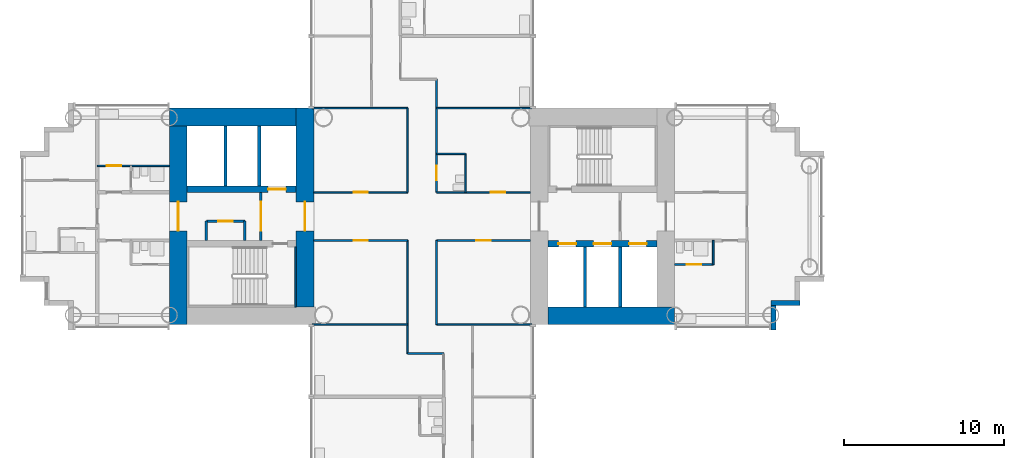
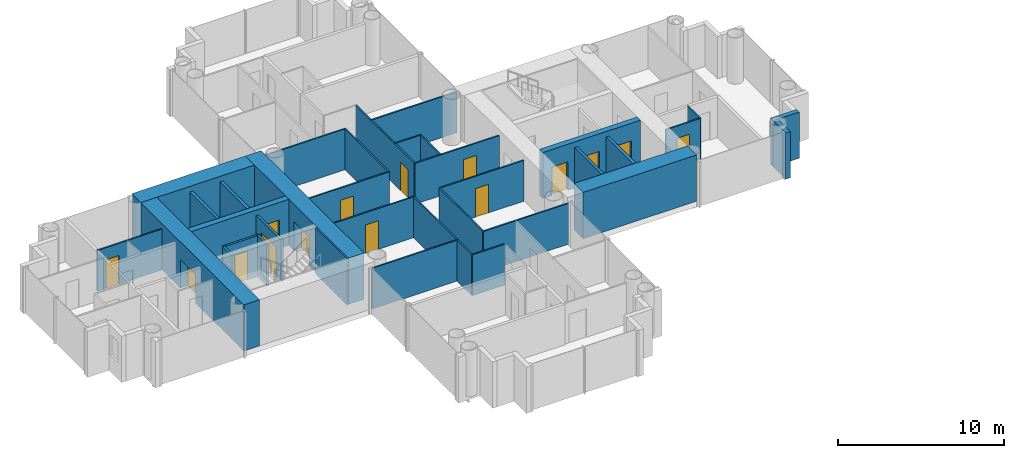
# One storey, part 10 of 21: 35 walls, 15 doors, 15 openings.
"""IFC4 building model written with IfcOpenShell, lengths in metres."""

from ifc_helpers import new_model, si_unit, direction, frame, frame_2d, origin, place, context, subcontext, project, spatial, rectangle, extrude, material, layer, layer_set, type_object, element, fill, save


model = new_model("IFC4")

# Units and contexts
model_context = context("Model", 3, precision=1e-05, world=origin(), true_north=direction((0.0, 1.0)))
body_context = subcontext(model_context, "Body", "Model", "MODEL_VIEW")
ifc_project = project(units=[si_unit("LENGTHUNIT", "METRE"), si_unit("AREAUNIT", "SQUARE_METRE"), si_unit("VOLUMEUNIT", "CUBIC_METRE"), si_unit("PLANEANGLEUNIT", "RADIAN"), si_unit("MASSUNIT", "GRAM", prefix="KILO")], contexts=[model_context])

# Site, building, storey
site_placement = place(None, origin())
site = spatial("IfcSite", under=ifc_project, at=site_placement, CompositionType="ELEMENT")
building_placement = place(site_placement, origin())
building = spatial("IfcBuilding", under=site, at=building_placement, Name="Ipe Terrace Towers", CompositionType="ELEMENT")
storey_placement = place(building_placement, frame((0.0, 0.0, 34.699951171875)))
storey = spatial("IfcBuildingStorey", under=building, at=storey_placement, Name="L08", CompositionType="ELEMENT", Elevation=34.699951171875)

# Walls
ifc_material_1 = material(Name="Concrete C40/50 with buff precast cladding", Category="concrete")
ifc_layer_1 = layer(ifc_material_1, 0.320068359375)
ifc_layer_set_1 = layer_set([ifc_layer_1], Name="BUFF CLADDING WALL 320")
wall_type_1 = type_object("IfcWallType", Name="BUFF CLADDING WALL 320", PredefinedType="STANDARD", material=ifc_layer_set_1)
wall_1_placement = place(storey_placement, frame((-14.090087890625, -7.070068359375, -0.300048828125), z_axis=(0.0, 0.0, 1.0), x_axis=(0.0, 1.0, 0.0)))
element("IfcWall", 1, at=wall_1_placement, inside=storey, type_object=wall_type_1, Name="T1-W-L08-21a wall", PredefinedType="STANDARD", context=body_context, shape_type="SweptSolid", body=[
    extrude(rectangle(XDim=1.5, YDim=0.320068359375, at=frame_2d((0.75, 0.0))), origin(), (0.0, 0.0, 1.0), 3.400146484375),
])
wall_2_placement = place(storey_placement, frame((-14.25, -5.409912109375, -0.300048828125), z_axis=(0.0, 0.0, 1.0), x_axis=(1.0, 0.0, 0.0)))
element("IfcWall", 2, at=wall_2_placement, inside=storey, type_object=wall_type_1, Name="T1-W-L08-22a wall", PredefinedType="STANDARD", context=body_context, shape_type="SweptSolid", body=[
    extrude(rectangle(XDim=1.820068359375, YDim=0.320068359375, at=frame_2d((0.91015625, 0.0))), origin(), (0.0, 0.0, 1.0), 3.400146484375),
])
ifc_material_2 = material(Name="Gypsum board partition", Category="plasterboard")
ifc_layer_2 = layer(ifc_material_2, 0.10009765625)
ifc_layer_set_2 = layer_set([ifc_layer_2], Name="Gypsum board partition 100 mm")
wall_type_2 = type_object("IfcWallType", Name="Gypsum board partition 100 mm", PredefinedType="PARTITIONING", material=ifc_layer_set_2)
wall_3_placement = place(storey_placement, frame((-36.89990234375, -8.550048828125, 0.0), z_axis=(0.0, 0.0, 1.0), x_axis=(0.0, 1.0, 0.0)))
element("IfcWall", 3, at=wall_3_placement, inside=storey, type_object=wall_type_2, Name="Gypsum board partition T1 L08 W08", PredefinedType="PARTITIONING", context=body_context, shape_type="SweptSolid", body=[
    extrude(rectangle(XDim=7.050048828125, YDim=0.10009765625, at=frame_2d((3.52490234375, 0.0))), origin(), (0.0, 0.0, 1.0), 3.0),
])
for number, where, z_axis, x_axis, name in (
    (4, (-36.89990234375, 1.5, 0.0), (0.0, 0.0, 1.0), (0.0, 1.0, 0.0), "Gypsum board partition T1 L08 W09"),
    (5, (-35.10009765625, -6.75, 0.0), (0.0, 0.0, 1.0), (0.0, 1.0, 0.0), "Gypsum board partition T1 L08 W12"),
):
    element("IfcWall", number, at=place(storey_placement, frame(where, z_axis=z_axis, x_axis=x_axis)), inside=storey, type_object=wall_type_2, Name=name, PredefinedType="PARTITIONING", context=body_context, shape_type="SweptSolid", body=[
        extrude(rectangle(XDim=5.25, YDim=0.10009765625, at=frame_2d((2.625, 0.0))), origin(), (0.0, 0.0, 1.0), 3.0),
    ])

# Wall, opening, door
wall_4_placement = place(storey_placement, frame((-35.10009765625, 1.5, 0.0), z_axis=(0.0, 0.0, 1.0), x_axis=(0.0, 1.0, 0.0)))
wall_4 = element("IfcWall", 6, at=wall_4_placement, inside=storey, type_object=wall_type_2, Name="Gypsum board partition T1 L08 W13", PredefinedType="PARTITIONING", context=body_context, shape_type="SweptSolid", body=[
    extrude(rectangle(XDim=7.050048828125, YDim=0.10009765625, at=frame_2d((3.52490234375, 0.0))), origin(), (0.0, 0.0, 1.0), 3.0),
])
opening_1_placement = place(wall_4_placement, frame((0.75, 0.0, 0.0)))
opening_1 = element("IfcOpeningElement", 7, at=opening_1_placement, cuts=wall_4, Name="Opening T1-Z1B-01", PredefinedType="OPENING", context=body_context, shape_type="SweptSolid", body=[
    extrude(rectangle(XDim=0.89990234375, YDim=2.10009765625, at=frame_2d((0.449951171875, 1.050048828125))), frame((0.0, 0.06005859375, 0.0), z_axis=(0.0, -1.0, 0.0), x_axis=(1.0, 0.0, 0.0)), (0.0, 0.0, 1.0), 0.1201171875),
])
ifc_material_3 = material(Name="Timber door leaf", Category="wood")
door_type_1 = type_object("IfcDoorType", Name="Bathroom door 900 x 2100", OperationType="NOTDEFINED", PredefinedType="DOOR", material=ifc_material_3)
door_1_placement = place(opening_1_placement, origin())
door_1 = element("IfcDoor", 8, at=door_1_placement, inside=storey, type_object=door_type_1, Name="Bathroom door T1-Z1B-01", OperationType="SINGLE_SWING_LEFT", OverallHeight=2.10009765625, OverallWidth=0.89990234375, PredefinedType="DOOR", context=body_context, shape_type="SweptSolid", body=[
    extrude(rectangle(XDim=0.89990234375, YDim=2.10009765625, at=frame_2d((0.449951171875, 1.050048828125))), frame((0.0, 0.02490234375, 0.0), z_axis=(0.0, -1.0, 0.0), x_axis=(1.0, 0.0, 0.0)), (0.0, 0.0, 1.0), 0.050048828125),
])
fill(opening_1, door_1)

# Walls
wall_5_placement = place(storey_placement, frame((-33.300048828125, 1.5, 0.0), z_axis=(0.0, 0.0, 1.0), x_axis=(0.0, 1.0, 0.0)))
element("IfcWall", 9, at=wall_5_placement, inside=storey, type_object=wall_type_2, Name="Gypsum board partition T1 L08 W16", PredefinedType="PARTITIONING", context=body_context, shape_type="SweptSolid", body=[
    extrude(rectangle(XDim=2.39990234375, YDim=0.10009765625, at=frame_2d((1.199951171875, 0.0))), origin(), (0.0, 0.0, 1.0), 3.0),
])
wall_6_placement = place(storey_placement, frame((-17.85009765625, -3.0, 0.0), z_axis=(0.0, 0.0, 1.0), x_axis=(0.0, 1.0, 0.0)))
element("IfcWall", 10, at=wall_6_placement, inside=storey, type_object=wall_type_2, Name="Gypsum board partition T1 L08 W18", PredefinedType="PARTITIONING", context=body_context, shape_type="SweptSolid", body=[
    extrude(rectangle(XDim=1.5, YDim=0.10009765625, at=frame_2d((0.75, 0.0))), origin(), (0.0, 0.0, 1.0), 3.0),
])
wall_7_placement = place(storey_placement, frame((-36.89990234375, -8.550048828125, 0.0), z_axis=(0.0, 0.0, 1.0), x_axis=(1.0, 0.0, 0.0)))
element("IfcWall", 11, at=wall_7_placement, inside=storey, type_object=wall_type_2, Name="Gypsum board partition T1 L08 W26", PredefinedType="PARTITIONING", context=body_context, shape_type="SweptSolid", body=[
    extrude(rectangle(XDim=2.25, YDim=0.10009765625, at=frame_2d((1.125, 0.0))), origin(), (0.0, 0.0, 1.0), 3.0),
])
for number, where, z_axis, x_axis, name in (
    (12, (-42.85009765625, -6.75, 0.0), (0.0, 0.0, 1.0), (1.0, 0.0, 0.0), "Gypsum board partition T1 L08 W27"),
    (13, (-35.10009765625, -6.75, 0.0), (0.0, 0.0, 1.0), (1.0, 0.0, 0.0), "Gypsum board partition T1 L08 W28"),
):
    element("IfcWall", number, at=place(storey_placement, frame(where, z_axis=z_axis, x_axis=x_axis)), inside=storey, type_object=wall_type_2, Name=name, PredefinedType="PARTITIONING", context=body_context, shape_type="SweptSolid", body=[
        extrude(rectangle(XDim=5.9501953125, YDim=0.10009765625, at=frame_2d((2.97509765625, 0.0))), origin(), (0.0, 0.0, 1.0), 3.0),
    ])

# Wall, opening, door
wall_8_placement = place(storey_placement, frame((-20.25, -3.0, 0.0), z_axis=(0.0, 0.0, 1.0), x_axis=(1.0, 0.0, 0.0)))
wall_8 = element("IfcWall", 14, at=wall_8_placement, inside=storey, type_object=wall_type_2, Name="Gypsum board partition T1 L08 W30", PredefinedType="PARTITIONING", context=body_context, shape_type="SweptSolid", body=[
    extrude(rectangle(XDim=2.39990234375, YDim=0.10009765625, at=frame_2d((1.199951171875, 0.0))), origin(), (0.0, 0.0, 1.0), 3.0),
])
opening_2_placement = place(wall_8_placement, frame((0.75, 0.0, 0.0)))
opening_2 = element("IfcOpeningElement", 15, at=opening_2_placement, cuts=wall_8, Name="Opening T1-Z1B-20", PredefinedType="OPENING", context=body_context, shape_type="SweptSolid", body=[
    extrude(rectangle(XDim=0.89990234375, YDim=2.10009765625, at=frame_2d((0.449951171875, 1.050048828125))), frame((0.0, 0.06005859375, 0.0), z_axis=(0.0, -1.0, 0.0), x_axis=(1.0, 0.0, 0.0)), (0.0, 0.0, 1.0), 0.1201171875),
])
door_2_placement = place(opening_2_placement, origin())
door_2 = element("IfcDoor", 16, at=door_2_placement, inside=storey, type_object=door_type_1, Name="Bathroom door T1-Z1B-20", OperationType="SINGLE_SWING_LEFT", OverallHeight=2.10009765625, OverallWidth=0.89990234375, PredefinedType="DOOR", context=body_context, shape_type="SweptSolid", body=[
    extrude(rectangle(XDim=0.89990234375, YDim=2.10009765625, at=frame_2d((0.449951171875, 1.050048828125))), frame((0.0, 0.02490234375, 0.0), z_axis=(0.0, -1.0, 0.0), x_axis=(1.0, 0.0, 0.0)), (0.0, 0.0, 1.0), 0.050048828125),
])
fill(opening_2, door_2)

wall_9_placement = place(storey_placement, frame((-42.75, -1.5, 0.0), z_axis=(0.0, 0.0, 1.0), x_axis=(1.0, 0.0, 0.0)))
wall_9 = element("IfcWall", 17, at=wall_9_placement, inside=storey, type_object=wall_type_2, Name="Gypsum board partition T1 L08 W32", PredefinedType="PARTITIONING", context=body_context, shape_type="SweptSolid", body=[
    extrude(rectangle(XDim=5.85009765625, YDim=0.10009765625, at=frame_2d((2.925048828125, 0.0))), origin(), (0.0, 0.0, 1.0), 3.0),
])
opening_3_placement = place(wall_9_placement, frame((2.47509765625, 0.0, 0.0)))
opening_3 = element("IfcOpeningElement", 18, at=opening_3_placement, cuts=wall_9, Name="Opening T1-Z1B-04", PredefinedType="OPENING", context=body_context, shape_type="SweptSolid", body=[
    extrude(rectangle(XDim=0.89990234375, YDim=2.10009765625, at=frame_2d((0.449951171875, 1.050048828125))), frame((0.0, 0.06005859375, 0.0), z_axis=(0.0, -1.0, 0.0), x_axis=(1.0, 0.0, 0.0)), (0.0, 0.0, 1.0), 0.1201171875),
])
ifc_material_4 = material(Name="Timber door leaf", Category="wood")
door_type_2 = type_object("IfcDoorType", Name="Lounge door 900 x 2100", OperationType="NOTDEFINED", PredefinedType="DOOR", material=ifc_material_4)
door_3_placement = place(opening_3_placement, origin())
door_3 = element("IfcDoor", 19, at=door_3_placement, inside=storey, type_object=door_type_2, Name="Lounge door T1-Z1B-04", OperationType="SINGLE_SWING_LEFT", OverallHeight=2.10009765625, OverallWidth=0.89990234375, PredefinedType="DOOR", context=body_context, shape_type="SweptSolid", body=[
    extrude(rectangle(XDim=0.89990234375, YDim=2.10009765625, at=frame_2d((0.449951171875, 1.050048828125))), frame((0.0, 0.02490234375, 0.0), z_axis=(0.0, -1.0, 0.0), x_axis=(1.0, 0.0, 0.0)), (0.0, 0.0, 1.0), 0.050048828125),
])
fill(opening_3, door_3)

wall_10_placement = place(storey_placement, frame((-35.10009765625, -1.5, 0.0), z_axis=(0.0, 0.0, 1.0), x_axis=(1.0, 0.0, 0.0)))
wall_10 = element("IfcWall", 20, at=wall_10_placement, inside=storey, type_object=wall_type_2, Name="Gypsum board partition T1 L08 W33", PredefinedType="PARTITIONING", context=body_context, shape_type="SweptSolid", body=[
    extrude(rectangle(XDim=5.85009765625, YDim=0.10009765625, at=frame_2d((2.925048828125, 0.0))), origin(), (0.0, 0.0, 1.0), 3.0),
])
opening_4_placement = place(wall_10_placement, frame((2.47509765625, 0.0, 0.0)))
opening_4 = element("IfcOpeningElement", 21, at=opening_4_placement, cuts=wall_10, Name="Opening T1-Z1B-05", PredefinedType="OPENING", context=body_context, shape_type="SweptSolid", body=[
    extrude(rectangle(XDim=0.89990234375, YDim=2.10009765625, at=frame_2d((0.449951171875, 1.050048828125))), frame((0.0, 0.06005859375, 0.0), z_axis=(0.0, -1.0, 0.0), x_axis=(1.0, 0.0, 0.0)), (0.0, 0.0, 1.0), 0.1201171875),
])
door_4_placement = place(opening_4_placement, origin())
door_4 = element("IfcDoor", 22, at=door_4_placement, inside=storey, type_object=door_type_2, Name="Lounge door T1-Z1B-05", OperationType="SINGLE_SWING_RIGHT", OverallHeight=2.10009765625, OverallWidth=0.89990234375, PredefinedType="DOOR", context=body_context, shape_type="SweptSolid", body=[
    extrude(rectangle(XDim=0.89990234375, YDim=2.10009765625, at=frame_2d((0.449951171875, 1.050048828125))), frame((0.0, 0.02490234375, 0.0), z_axis=(0.0, -1.0, 0.0), x_axis=(1.0, 0.0, 0.0)), (0.0, 0.0, 1.0), 0.050048828125),
])
fill(opening_4, door_4)

wall_11_placement = place(storey_placement, frame((-42.75, 1.5, 0.0), z_axis=(0.0, 0.0, 1.0), x_axis=(1.0, 0.0, 0.0)))
wall_11 = element("IfcWall", 23, at=wall_11_placement, inside=storey, type_object=wall_type_2, Name="Gypsum board partition T1 L08 W37", PredefinedType="PARTITIONING", context=body_context, shape_type="SweptSolid", body=[
    extrude(rectangle(XDim=5.85009765625, YDim=0.10009765625, at=frame_2d((2.925048828125, 0.0))), origin(), (0.0, 0.0, 1.0), 3.0),
])
opening_5_placement = place(wall_11_placement, frame((2.47509765625, 0.0, 0.0)))
opening_5 = element("IfcOpeningElement", 24, at=opening_5_placement, cuts=wall_11, Name="Opening T1-Z1B-03", PredefinedType="OPENING", context=body_context, shape_type="SweptSolid", body=[
    extrude(rectangle(XDim=0.89990234375, YDim=2.10009765625, at=frame_2d((0.449951171875, 1.050048828125))), frame((0.0, 0.06005859375, 0.0), z_axis=(0.0, -1.0, 0.0), x_axis=(1.0, 0.0, 0.0)), (0.0, 0.0, 1.0), 0.1201171875),
])
door_5_placement = place(opening_5_placement, origin())
door_5 = element("IfcDoor", 25, at=door_5_placement, inside=storey, type_object=door_type_2, Name="Lounge door T1-Z1B-03", OperationType="SINGLE_SWING_RIGHT", OverallHeight=2.10009765625, OverallWidth=0.89990234375, PredefinedType="DOOR", context=body_context, shape_type="SweptSolid", body=[
    extrude(rectangle(XDim=0.89990234375, YDim=2.10009765625, at=frame_2d((0.449951171875, 1.050048828125))), frame((0.0, 0.02490234375, 0.0), z_axis=(0.0, -1.0, 0.0), x_axis=(1.0, 0.0, 0.0)), (0.0, 0.0, 1.0), 0.050048828125),
])
fill(opening_5, door_5)

wall_12_placement = place(storey_placement, frame((-35.10009765625, 1.5, 0.0), z_axis=(0.0, 0.0, 1.0), x_axis=(1.0, 0.0, 0.0)))
wall_12 = element("IfcWall", 26, at=wall_12_placement, inside=storey, type_object=wall_type_2, Name="Gypsum board partition T1 L08 W38", PredefinedType="PARTITIONING", context=body_context, shape_type="SweptSolid", body=[
    extrude(rectangle(XDim=5.85009765625, YDim=0.10009765625, at=frame_2d((2.925048828125, 0.0))), origin(), (0.0, 0.0, 1.0), 3.0),
])
opening_6_placement = place(wall_12_placement, frame((3.375, 0.0, 0.0)))
opening_6 = element("IfcOpeningElement", 27, at=opening_6_placement, cuts=wall_12, Name="Opening T1-Z1B-02", PredefinedType="OPENING", context=body_context, shape_type="SweptSolid", body=[
    extrude(rectangle(XDim=0.89990234375, YDim=2.10009765625, at=frame_2d((0.449951171875, 1.050048828125))), frame((0.0, 0.06005859375, 0.0), z_axis=(0.0, -1.0, 0.0), x_axis=(1.0, 0.0, 0.0)), (0.0, 0.0, 1.0), 0.1201171875),
])
door_6_placement = place(opening_6_placement, origin())
door_6 = element("IfcDoor", 28, at=door_6_placement, inside=storey, type_object=door_type_2, Name="Lounge door T1-Z1B-02", OperationType="SINGLE_SWING_LEFT", OverallHeight=2.10009765625, OverallWidth=0.89990234375, PredefinedType="DOOR", context=body_context, shape_type="SweptSolid", body=[
    extrude(rectangle(XDim=0.89990234375, YDim=2.10009765625, at=frame_2d((0.449951171875, 1.050048828125))), frame((0.0, 0.02490234375, 0.0), z_axis=(0.0, -1.0, 0.0), x_axis=(1.0, 0.0, 0.0)), (0.0, 0.0, 1.0), 0.050048828125),
])
fill(opening_6, door_6)

wall_13_placement = place(storey_placement, frame((-56.25, 3.14990234375, 0.0), z_axis=(0.0, 0.0, 1.0), x_axis=(1.0, 0.0, 0.0)))
wall_13 = element("IfcWall", 29, at=wall_13_placement, inside=storey, type_object=wall_type_2, Name="Gypsum board partition T1 L08 W42", PredefinedType="PARTITIONING", context=body_context, shape_type="SweptSolid", body=[
    extrude(rectangle(XDim=4.5, YDim=0.10009765625, at=frame_2d((2.25, 0.0))), origin(), (0.0, 0.0, 1.0), 3.0),
])
opening_7_placement = place(wall_13_placement, frame((0.60009765625, 0.0, 0.0)))
opening_7 = element("IfcOpeningElement", 30, at=opening_7_placement, cuts=wall_13, Name="Opening T1-Z1B-25", PredefinedType="OPENING", context=body_context, shape_type="SweptSolid", body=[
    extrude(rectangle(XDim=0.89990234375, YDim=2.10009765625, at=frame_2d((0.449951171875, 1.050048828125))), frame((0.0, 0.06005859375, 0.0), z_axis=(0.0, -1.0, 0.0), x_axis=(1.0, 0.0, 0.0)), (0.0, 0.0, 1.0), 0.1201171875),
])
ifc_material_5 = material(Name="Timber door leaf", Category="wood")
door_type_3 = type_object("IfcDoorType", Name="Bedroom door 900 x 2100", OperationType="NOTDEFINED", PredefinedType="DOOR", material=ifc_material_5)
door_7_placement = place(opening_7_placement, origin())
door_7 = element("IfcDoor", 31, at=door_7_placement, inside=storey, type_object=door_type_3, Name="Bedroom door T1-Z1B-25", OperationType="SINGLE_SWING_RIGHT", OverallHeight=2.10009765625, OverallWidth=0.89990234375, PredefinedType="DOOR", context=body_context, shape_type="SweptSolid", body=[
    extrude(rectangle(XDim=0.89990234375, YDim=2.10009765625, at=frame_2d((0.449951171875, 1.050048828125))), frame((0.0, 0.02490234375, 0.0), z_axis=(0.0, -1.0, 0.0), x_axis=(1.0, 0.0, 0.0)), (0.0, 0.0, 1.0), 0.050048828125),
])
fill(opening_7, door_7)

# Walls
wall_14_placement = place(storey_placement, frame((-35.10009765625, 3.89990234375, 0.0), z_axis=(0.0, 0.0, 1.0), x_axis=(1.0, 0.0, 0.0)))
element("IfcWall", 32, at=wall_14_placement, inside=storey, type_object=wall_type_2, Name="Gypsum board partition T1 L08 W43", PredefinedType="PARTITIONING", context=body_context, shape_type="SweptSolid", body=[
    extrude(rectangle(XDim=1.800048828125, YDim=0.10009765625, at=frame_2d((0.89990234375, 0.0))), origin(), (0.0, 0.0, 1.0), 3.0),
])
for number, where, z_axis, x_axis, name in (
    (33, (-42.85009765625, 6.75, 0.0), (0.0, 0.0, 1.0), (1.0, 0.0, 0.0), "Gypsum board partition T1 L08 W44"),
    (34, (-35.10009765625, 6.75, 0.0), (0.0, 0.0, 1.0), (1.0, 0.0, 0.0), "Gypsum board partition T1 L08 W45"),
):
    element("IfcWall", number, at=place(storey_placement, frame(where, z_axis=z_axis, x_axis=x_axis)), inside=storey, type_object=wall_type_2, Name=name, PredefinedType="PARTITIONING", context=body_context, shape_type="SweptSolid", body=[
        extrude(rectangle(XDim=5.9501953125, YDim=0.10009765625, at=frame_2d((2.97509765625, 0.0))), origin(), (0.0, 0.0, 1.0), 3.0),
    ])

# Wall, opening, door
ifc_material_6 = material(Name="Gypsum board partition", Category="plasterboard")
ifc_layer_3 = layer(ifc_material_6, 0.14990234375)
ifc_layer_set_3 = layer_set([ifc_layer_3], Name="Gypsum board partition 150 mm")
wall_type_3 = type_object("IfcWallType", Name="Gypsum board partition 150 mm", PredefinedType="PARTITIONING", material=ifc_layer_set_3)
wall_15_placement = place(storey_placement, frame((-46.050048828125, 1.5, 0.0), z_axis=(0.0, 0.0, 1.0), x_axis=(0.0, -1.0, 0.0)))
wall_15 = element("IfcWall", 35, at=wall_15_placement, inside=storey, type_object=wall_type_3, Name="Gypsum board partition T1 L08 t1c2-lobby-wall", PredefinedType="PARTITIONING", context=body_context, shape_type="SweptSolid", body=[
    extrude(rectangle(XDim=3.0, YDim=0.14990234375, at=frame_2d((1.5, 0.0))), origin(), (0.0, 0.0, 1.0), 3.0),
])
opening_8_placement = place(wall_15_placement, frame((0.60009765625, 0.0, 0.0)))
opening_8 = element("IfcOpeningElement", 36, at=opening_8_placement, cuts=wall_15, Name="Opening T1C2-VD", PredefinedType="OPENING", context=body_context, shape_type="SweptSolid", body=[
    extrude(rectangle(XDim=1.800048828125, YDim=2.10009765625, at=frame_2d((0.89990234375, 1.050048828125))), frame((0.0, 0.0849609375, 0.0), z_axis=(0.0, -1.0, 0.0), x_axis=(1.0, 0.0, 0.0)), (0.0, 0.0, 1.0), 0.169921875),
])
ifc_material_7 = material(Name="Fire-rated timber door leaf", Category="wood")
door_type_4 = type_object("IfcDoorType", Name="Lobby door 1800 x 2100 FD60", OperationType="NOTDEFINED", PredefinedType="DOOR", material=ifc_material_7)
door_8_placement = place(opening_8_placement, origin())
door_8 = element("IfcDoor", 37, at=door_8_placement, inside=storey, type_object=door_type_4, Name="Lobby door T1C2-VD", OperationType="SINGLE_SWING_LEFT", OverallHeight=2.10009765625, OverallWidth=1.800048828125, PredefinedType="DOOR", context=body_context, shape_type="SweptSolid", body=[
    extrude(rectangle(XDim=1.800048828125, YDim=2.10009765625, at=frame_2d((0.89990234375, 1.050048828125))), frame((0.0, 0.02490234375, 0.0), z_axis=(0.0, -1.0, 0.0), x_axis=(1.0, 0.0, 0.0)), (0.0, 0.0, 1.0), 0.050048828125),
])
fill(opening_8, door_8)

wall_16_placement = place(storey_placement, frame((-47.050048828125, -0.300048828125, 0.0), z_axis=(0.0, 0.0, 1.0), x_axis=(-1.0, 0.0, 0.0)))
wall_16 = element("IfcWall", 38, at=wall_16_placement, inside=storey, type_object=wall_type_3, Name="Gypsum board partition T1 L08 t1c2-cup-n-f", PredefinedType="PARTITIONING", context=body_context, shape_type="SweptSolid", body=[
    extrude(rectangle(XDim=2.39990234375, YDim=0.14990234375, at=frame_2d((1.199951171875, 0.0))), origin(), (0.0, 0.0, 1.0), 3.0),
])
opening_9_placement = place(wall_16_placement, frame((0.75, 0.0, 0.0)))
opening_9 = element("IfcOpeningElement", 39, at=opening_9_placement, cuts=wall_16, Name="Opening T1C2-SR", PredefinedType="OPENING", context=body_context, shape_type="SweptSolid", body=[
    extrude(rectangle(XDim=0.89990234375, YDim=2.10009765625, at=frame_2d((0.449951171875, 1.050048828125))), frame((0.0, 0.0849609375, 0.0), z_axis=(0.0, -1.0, 0.0), x_axis=(1.0, 0.0, 0.0)), (0.0, 0.0, 1.0), 0.169921875),
])
ifc_material_8 = material(Name="Fire-rated timber door leaf", Category="wood")
door_type_5 = type_object("IfcDoorType", Name="Service door 900 x 2100 FD60", OperationType="NOTDEFINED", PredefinedType="DOOR", material=ifc_material_8)
door_9_placement = place(opening_9_placement, origin())
door_9 = element("IfcDoor", 40, at=door_9_placement, inside=storey, type_object=door_type_5, Name="Service door T1C2-SR", OperationType="SINGLE_SWING_LEFT", OverallHeight=2.10009765625, OverallWidth=0.89990234375, PredefinedType="DOOR", context=body_context, shape_type="SweptSolid", body=[
    extrude(rectangle(XDim=0.89990234375, YDim=2.10009765625, at=frame_2d((0.449951171875, 1.050048828125))), frame((0.0, 0.02490234375, 0.0), z_axis=(0.0, -1.0, 0.0), x_axis=(1.0, 0.0, 0.0)), (0.0, 0.0, 1.0), 0.050048828125),
])
fill(opening_9, door_9)

# Walls
for number, where, z_axis, x_axis, name in (
    (41, (-47.050048828125, -0.300048828125, 0.0), (0.0, 0.0, 1.0), (0.0, -1.0, 0.0), "Gypsum board partition T1 L08 t1c2-cup-n-a"),
    (42, (-49.449951171875, -0.300048828125, 0.0), (0.0, 0.0, 1.0), (0.0, -1.0, 0.0), "Gypsum board partition T1 L08 t1c2-cup-n-b"),
):
    element("IfcWall", number, at=place(storey_placement, frame(where, z_axis=z_axis, x_axis=x_axis)), inside=storey, type_object=wall_type_3, Name=name, PredefinedType="PARTITIONING", context=body_context, shape_type="SweptSolid", body=[
        extrude(rectangle(XDim=1.199951171875, YDim=0.14990234375, at=frame_2d((0.60009765625, 0.0))), origin(), (0.0, 0.0, 1.0), 3.0),
    ])
ifc_material_9 = material(Name="Gypsum board party wall", Category="plasterboard")
ifc_layer_4 = layer(ifc_material_9, 0.199951171875)
ifc_layer_set_4 = layer_set([ifc_layer_4], Name="Gypsum board party wall 200 mm")
wall_type_4 = type_object("IfcWallType", Name="Gypsum board party wall 200 mm", PredefinedType="SOLIDWALL", material=ifc_layer_set_4)
for number, where, z_axis, x_axis, name in (
    (43, (-25.85009765625, -5.64990234375, 0.0), (0.0, 0.0, 1.0), (0.0, 1.0, 0.0), "Gypsum board party wall T1 L08 t1c1-shaft-div1"),
    (44, (-23.64990234375, -5.64990234375, 0.0), (0.0, 0.0, 1.0), (0.0, 1.0, 0.0), "Gypsum board party wall T1 L08 t1c1-shaft-div2"),
    (45, (-46.14990234375, 5.64990234375, 0.0), (0.0, 0.0, 1.0), (0.0, -1.0, 0.0), "Gypsum board party wall T1 L08 t1c2-shaft-div1"),
    (46, (-48.25, 5.64990234375, 0.0), (0.0, 0.0, 1.0), (0.0, -1.0, 0.0), "Gypsum board party wall T1 L08 t1c2-shaft-div2"),
):
    element("IfcWall", number, at=place(storey_placement, frame(where, z_axis=z_axis, x_axis=x_axis)), inside=storey, type_object=wall_type_4, Name=name, PredefinedType="SOLIDWALL", context=body_context, shape_type="SweptSolid", body=[
        extrude(rectangle(XDim=3.75, YDim=0.199951171875, at=frame_2d((1.875, 0.0))), origin(), (0.0, 0.0, 1.0), 3.0),
    ])
ifc_material_10 = material(Name="Concrete C60/75", Category="concrete")
ifc_layer_5 = layer(ifc_material_10, 0.10009765625)
ifc_layer_set_5 = layer_set([ifc_layer_5], Name="RW100 CORE INFILL WALL 100 C60-75")
wall_type_5 = type_object("IfcWallType", Name="RW100 CORE INFILL WALL 100 C60-75", PredefinedType="SHEAR", material=ifc_layer_set_5)
wall_17_placement = place(storey_placement, frame((-43.89990234375, -1.89990234375, 0.0), z_axis=(0.0, 0.0, 1.0), x_axis=(0.0, -1.0, 0.0)))
element("IfcWall", 47, at=wall_17_placement, inside=storey, type_object=wall_type_5, Name="Core infill wall T1-C2-near", PredefinedType="SHEAR", context=body_context, shape_type="SweptSolid", body=[
    extrude(rectangle(XDim=3.75, YDim=0.10009765625, at=frame_2d((1.875, 0.0))), origin(), (0.0, 0.0, 1.0), 3.400146484375),
])
ifc_material_11 = material(Name="Concrete C60/75", Category="concrete")
ifc_layer_6 = layer(ifc_material_11, 1.10009765625)
ifc_layer_set_6 = layer_set([ifc_layer_6], Name="RW1100 CORE WALL 1100 C60-75")
wall_type_6 = type_object("IfcWallType", Name="RW1100 CORE WALL 1100 C60-75", PredefinedType="SHEAR", material=ifc_layer_set_6)
wall_18_placement = place(storey_placement, frame((-28.14990234375, -6.199951171875, 0.0), z_axis=(0.0, 0.0, 1.0), x_axis=(1.0, 0.0, 0.0)))
element("IfcWall", 48, at=wall_18_placement, inside=storey, type_object=wall_type_6, Name="Core wall T1-C1-Z1-W01", PredefinedType="SHEAR", context=body_context, shape_type="SweptSolid", body=[
    extrude(rectangle(XDim=7.89990234375, YDim=1.10009765625, at=frame_2d((3.949951171875, 0.0))), origin(), (0.0, 0.0, 1.0), 3.400146484375),
])

# Wall, opening, door
wall_19_placement = place(storey_placement, frame((-43.300048828125, -5.64990234375, 0.0), z_axis=(0.0, 0.0, 1.0), x_axis=(0.0, 1.0, 0.0)))
wall_19 = element("IfcWall", 49, at=wall_19_placement, inside=storey, type_object=wall_type_6, Name="Core wall T1-C2-Z1-W02", PredefinedType="SHEAR", context=body_context, shape_type="SweptSolid", body=[
    extrude(rectangle(XDim=12.39990234375, YDim=1.10009765625, at=frame_2d((6.199951171875, 0.0))), origin(), (0.0, 0.0, 1.0), 3.400146484375),
])
opening_10_placement = place(wall_19_placement, frame((4.75, 0.0, 0.0)))
opening_10 = element("IfcOpeningElement", 50, at=opening_10_placement, cuts=wall_19, Name="Opening T1C2-ND", PredefinedType="OPENING", context=body_context, shape_type="SweptSolid", body=[
    extrude(rectangle(XDim=1.800048828125, YDim=2.10009765625, at=frame_2d((0.89990234375, 1.050048828125))), frame((0.0, 0.56005859375, 0.0), z_axis=(0.0, -1.0, 0.0), x_axis=(1.0, 0.0, 0.0)), (0.0, 0.0, 1.0), 1.1201171875),
])
ifc_material_12 = material(Name="Fire-rated timber door leaf", Category="wood")
door_type_6 = type_object("IfcDoorType", Name="Fire door 1800 x 2100 FD30S", OperationType="NOTDEFINED", PredefinedType="DOOR", material=ifc_material_12)
door_10_placement = place(opening_10_placement, origin())
door_10 = element("IfcDoor", 51, at=door_10_placement, inside=storey, type_object=door_type_6, Name="Fire door T1C2-ND", OperationType="SINGLE_SWING_LEFT", OverallHeight=2.10009765625, OverallWidth=1.800048828125, PredefinedType="DOOR", context=body_context, shape_type="SweptSolid", body=[
    extrude(rectangle(XDim=1.800048828125, YDim=2.10009765625, at=frame_2d((0.89990234375, 1.050048828125))), frame((0.0, 0.02490234375, 0.0), z_axis=(0.0, -1.0, 0.0), x_axis=(1.0, 0.0, 0.0)), (0.0, 0.0, 1.0), 0.050048828125),
])
fill(opening_10, door_10)

# Wall
wall_20_placement = place(storey_placement, frame((-43.85009765625, 6.199951171875, 0.0), z_axis=(0.0, 0.0, 1.0), x_axis=(-1.0, 0.0, 0.0)))
element("IfcWall", 52, at=wall_20_placement, inside=storey, type_object=wall_type_6, Name="Core wall T1-C2-Z1-W03", PredefinedType="SHEAR", context=body_context, shape_type="SweptSolid", body=[
    extrude(rectangle(XDim=7.89990234375, YDim=1.10009765625, at=frame_2d((3.949951171875, 0.0))), origin(), (0.0, 0.0, 1.0), 3.400146484375),
])

# Wall, opening, door
wall_21_placement = place(storey_placement, frame((-51.199951171875, 5.64990234375, 0.0), z_axis=(0.0, 0.0, 1.0), x_axis=(0.0, -1.0, 0.0)))
wall_21 = element("IfcWall", 53, at=wall_21_placement, inside=storey, type_object=wall_type_6, Name="Core wall T1-C2-Z1-W04", PredefinedType="SHEAR", context=body_context, shape_type="SweptSolid", body=[
    extrude(rectangle(XDim=12.39990234375, YDim=1.10009765625, at=frame_2d((6.199951171875, 0.0))), origin(), (0.0, 0.0, 1.0), 3.400146484375),
])
opening_11_placement = place(wall_21_placement, frame((4.75, 0.0, 0.0)))
opening_11 = element("IfcOpeningElement", 54, at=opening_11_placement, cuts=wall_21, Name="Opening T1C2-FD", PredefinedType="OPENING", context=body_context, shape_type="SweptSolid", body=[
    extrude(rectangle(XDim=1.800048828125, YDim=2.10009765625, at=frame_2d((0.89990234375, 1.050048828125))), frame((0.0, 0.56005859375, 0.0), z_axis=(0.0, -1.0, 0.0), x_axis=(1.0, 0.0, 0.0)), (0.0, 0.0, 1.0), 1.1201171875),
])
door_11_placement = place(opening_11_placement, origin())
door_11 = element("IfcDoor", 55, at=door_11_placement, inside=storey, type_object=door_type_6, Name="Fire door T1C2-FD", OperationType="SINGLE_SWING_LEFT", OverallHeight=2.10009765625, OverallWidth=1.800048828125, PredefinedType="DOOR", context=body_context, shape_type="SweptSolid", body=[
    extrude(rectangle(XDim=1.800048828125, YDim=2.10009765625, at=frame_2d((0.89990234375, 1.050048828125))), frame((0.0, 0.02490234375, 0.0), z_axis=(0.0, -1.0, 0.0), x_axis=(1.0, 0.0, 0.0)), (0.0, 0.0, 1.0), 0.050048828125),
])
fill(opening_11, door_11)

# Wall, openings, doors
ifc_material_13 = material(Name="Concrete C60/75", Category="concrete")
ifc_layer_7 = layer(ifc_material_13, 0.39990234375)
ifc_layer_set_7 = layer_set([ifc_layer_7], Name="RW400 CORE SPINE WALL 400 C60-75")
wall_type_7 = type_object("IfcWallType", Name="RW400 CORE SPINE WALL 400 C60-75", PredefinedType="SHEAR", material=ifc_layer_set_7)
wall_22_placement = place(storey_placement, frame((-28.14990234375, -1.699951171875, 0.0), z_axis=(0.0, 0.0, 1.0), x_axis=(1.0, 0.0, 0.0)))
wall_22 = element("IfcWall", 56, at=wall_22_placement, inside=storey, type_object=wall_type_7, Name="Core spine wall T1-C1-Z1-SW1", PredefinedType="SHEAR", context=body_context, shape_type="SweptSolid", body=[
    extrude(rectangle(XDim=6.7998046875, YDim=0.39990234375, at=frame_2d((3.39990234375, 0.0))), origin(), (0.0, 0.0, 1.0), 3.400146484375),
])
opening_12_placement = place(wall_22_placement, frame((0.64990234375, 0.0, 0.0)))
opening_12 = element("IfcOpeningElement", 57, at=opening_12_placement, cuts=wall_22, Name="Opening T1C1-LD1", PredefinedType="OPENING", context=body_context, shape_type="SweptSolid", body=[
    extrude(rectangle(XDim=1.10009765625, YDim=2.10009765625, at=frame_2d((0.550048828125, 1.050048828125))), frame((0.0, 0.2099609375, 0.0), z_axis=(0.0, -1.0, 0.0), x_axis=(1.0, 0.0, 0.0)), (0.0, 0.0, 1.0), 0.419921875),
])
opening_13_placement = place(wall_22_placement, frame((2.85009765625, 0.0, 0.0)))
opening_13 = element("IfcOpeningElement", 58, at=opening_13_placement, cuts=wall_22, Name="Opening T1C1-LD2", PredefinedType="OPENING", context=body_context, shape_type="SweptSolid", body=[
    extrude(rectangle(XDim=1.10009765625, YDim=2.10009765625, at=frame_2d((0.550048828125, 1.050048828125))), frame((0.0, 0.2099609375, 0.0), z_axis=(0.0, -1.0, 0.0), x_axis=(1.0, 0.0, 0.0)), (0.0, 0.0, 1.0), 0.419921875),
])
opening_14_placement = place(wall_22_placement, frame((5.050048828125, 0.0, 0.0)))
opening_14 = element("IfcOpeningElement", 59, at=opening_14_placement, cuts=wall_22, Name="Opening T1C1-LD3", PredefinedType="OPENING", context=body_context, shape_type="SweptSolid", body=[
    extrude(rectangle(XDim=1.10009765625, YDim=2.10009765625, at=frame_2d((0.550048828125, 1.050048828125))), frame((0.0, 0.2099609375, 0.0), z_axis=(0.0, -1.0, 0.0), x_axis=(1.0, 0.0, 0.0)), (0.0, 0.0, 1.0), 0.419921875),
])
ifc_material_14 = material(Name="Fire-rated timber door leaf", Category="wood")
door_type_7 = type_object("IfcDoorType", Name="Sliding door 1100 x 2100 FD60", OperationType="SLIDING_TO_LEFT", PredefinedType="DOOR", material=ifc_material_14)
door_12_placement = place(opening_12_placement, origin())
door_12 = element("IfcDoor", 60, at=door_12_placement, inside=storey, type_object=door_type_7, Name="Sliding door T1C1-LD1", OperationType="SLIDING_TO_LEFT", OverallHeight=2.10009765625, OverallWidth=1.10009765625, PredefinedType="DOOR", context=body_context, shape_type="SweptSolid", body=[
    extrude(rectangle(XDim=1.10009765625, YDim=2.10009765625, at=frame_2d((0.550048828125, 1.050048828125))), frame((0.0, 0.02490234375, 0.0), z_axis=(0.0, -1.0, 0.0), x_axis=(1.0, 0.0, 0.0)), (0.0, 0.0, 1.0), 0.050048828125),
])
fill(opening_12, door_12)
door_13_placement = place(opening_13_placement, origin())
door_13 = element("IfcDoor", 61, at=door_13_placement, inside=storey, type_object=door_type_7, Name="Sliding door T1C1-LD2", OperationType="SLIDING_TO_LEFT", OverallHeight=2.10009765625, OverallWidth=1.10009765625, PredefinedType="DOOR", context=body_context, shape_type="SweptSolid", body=[
    extrude(rectangle(XDim=1.10009765625, YDim=2.10009765625, at=frame_2d((0.550048828125, 1.050048828125))), frame((0.0, 0.02490234375, 0.0), z_axis=(0.0, -1.0, 0.0), x_axis=(1.0, 0.0, 0.0)), (0.0, 0.0, 1.0), 0.050048828125),
])
fill(opening_13, door_13)
door_14_placement = place(opening_14_placement, origin())
door_14 = element("IfcDoor", 62, at=door_14_placement, inside=storey, type_object=door_type_7, Name="Sliding door T1C1-LD3", OperationType="SLIDING_TO_LEFT", OverallHeight=2.10009765625, OverallWidth=1.10009765625, PredefinedType="DOOR", context=body_context, shape_type="SweptSolid", body=[
    extrude(rectangle(XDim=1.10009765625, YDim=2.10009765625, at=frame_2d((0.550048828125, 1.050048828125))), frame((0.0, 0.02490234375, 0.0), z_axis=(0.0, -1.0, 0.0), x_axis=(1.0, 0.0, 0.0)), (0.0, 0.0, 1.0), 0.050048828125),
])
fill(opening_14, door_14)

# Wall, opening, door
wall_23_placement = place(storey_placement, frame((-50.64990234375, 1.699951171875, 0.0), z_axis=(0.0, 0.0, 1.0), x_axis=(1.0, 0.0, 0.0)))
wall_23 = element("IfcWall", 63, at=wall_23_placement, inside=storey, type_object=wall_type_7, Name="Core spine wall T1-C2-Z1-SW2", PredefinedType="SHEAR", context=body_context, shape_type="SweptSolid", body=[
    extrude(rectangle(XDim=6.7998046875, YDim=0.39990234375, at=frame_2d((3.39990234375, 0.0))), origin(), (0.0, 0.0, 1.0), 3.400146484375),
])
opening_15_placement = place(wall_23_placement, frame((5.050048828125, 0.0, 0.0)))
opening_15 = element("IfcOpeningElement", 64, at=opening_15_placement, cuts=wall_23, Name="Opening T1C2-LD1", PredefinedType="OPENING", context=body_context, shape_type="SweptSolid", body=[
    extrude(rectangle(XDim=1.10009765625, YDim=2.10009765625, at=frame_2d((0.550048828125, 1.050048828125))), frame((0.0, 0.2099609375, 0.0), z_axis=(0.0, -1.0, 0.0), x_axis=(1.0, 0.0, 0.0)), (0.0, 0.0, 1.0), 0.419921875),
])
door_15_placement = place(opening_15_placement, origin())
door_15 = element("IfcDoor", 65, at=door_15_placement, inside=storey, type_object=door_type_7, Name="Sliding door T1C2-LD1", OperationType="SLIDING_TO_LEFT", OverallHeight=2.10009765625, OverallWidth=1.10009765625, PredefinedType="DOOR", context=body_context, shape_type="SweptSolid", body=[
    extrude(rectangle(XDim=1.10009765625, YDim=2.10009765625, at=frame_2d((0.550048828125, 1.050048828125))), frame((0.0, 0.02490234375, 0.0), z_axis=(0.0, -1.0, 0.0), x_axis=(1.0, 0.0, 0.0)), (0.0, 0.0, 1.0), 0.050048828125),
])
fill(opening_15, door_15)

save(model, "model.ifc")
